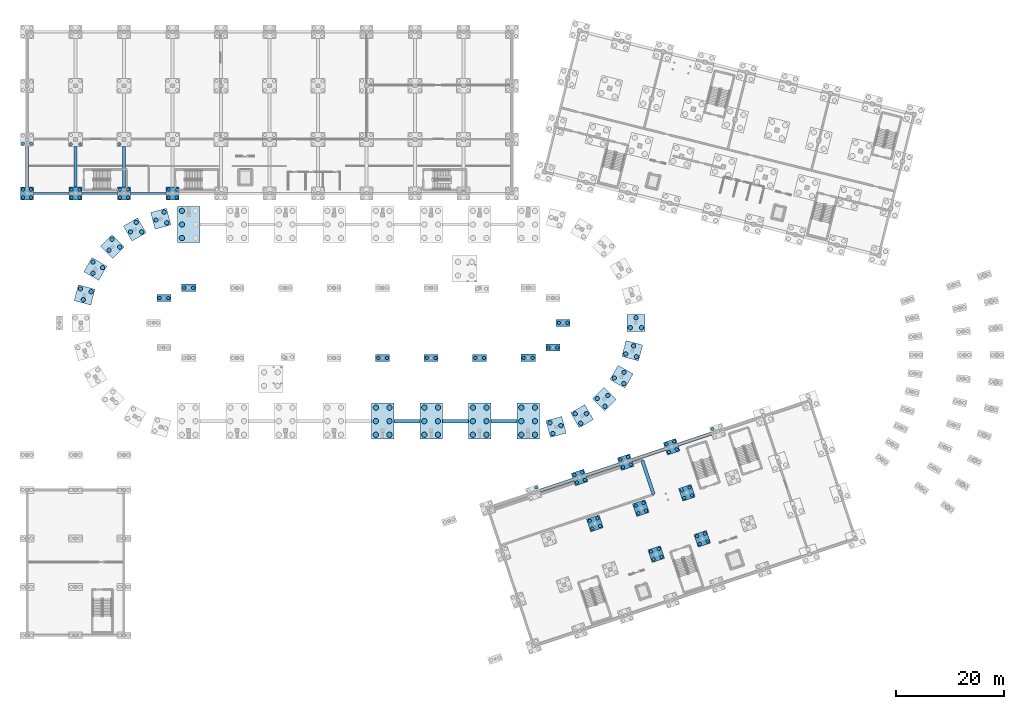
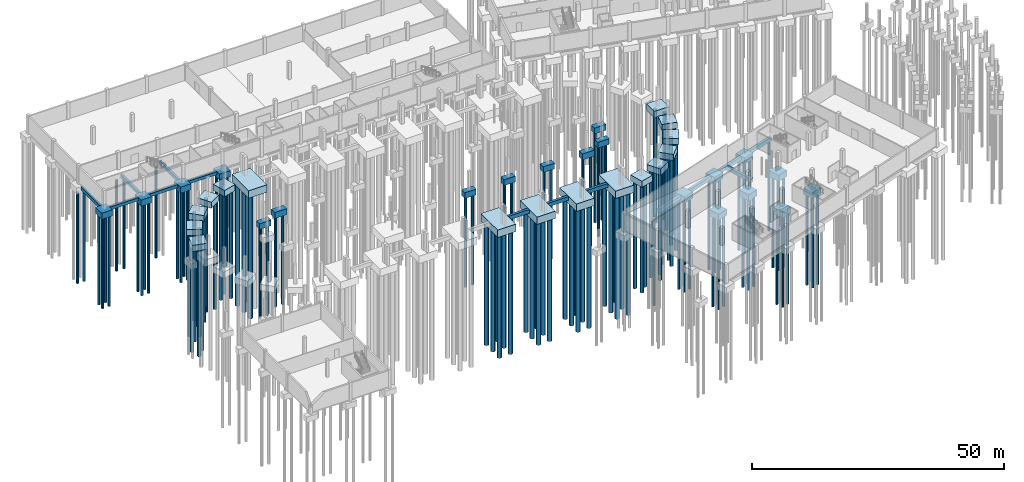
# One storey, part 2 of 36: 131 piles, 50 footings.
"""IFC4 building model written with IfcOpenShell, lengths in metres."""

from ifc_helpers import new_model, si_unit, derived_unit, direction, frame, origin, origin_2d, place, context, subcontext, project, spatial, rectangle, circle, extrude, material, material_profile, profile_set, type_object, element, save


model = new_model("IFC4")

# Units and contexts
model_context = context("Model", 3, precision=1e-05, world=origin(), true_north=direction((0.0, 1.0)))
body_context = subcontext(model_context, "Body", "Model", "MODEL_VIEW")
ifc_project = project(units=[si_unit("LENGTHUNIT", "METRE"), si_unit("AREAUNIT", "SQUARE_METRE"), si_unit("VOLUMEUNIT", "CUBIC_METRE"), si_unit("PLANEANGLEUNIT", "RADIAN"), si_unit("MASSUNIT", "GRAM", prefix="KILO"), si_unit("THERMODYNAMICTEMPERATUREUNIT", "KELVIN"), si_unit("TIMEUNIT", "SECOND"), derived_unit("THERMALTRANSMITTANCEUNIT", [(si_unit("MASSUNIT", "GRAM", prefix="KILO"), 1), (si_unit("THERMODYNAMICTEMPERATUREUNIT", "KELVIN"), -1), (si_unit("TIMEUNIT", "SECOND"), -3)])], contexts=[model_context])

# Site, building, storey
site_placement = place(None, origin())
site = spatial("IfcSite", under=ifc_project, at=site_placement, CompositionType="ELEMENT")
building_placement = place(site_placement, origin())
building = spatial("IfcBuilding", under=site, at=building_placement, Name="Cambertide Market Hall", CompositionType="ELEMENT")
storey_placement = place(building_placement, frame((0.0, 0.0, -4.199951171875)))
storey = spatial("IfcBuildingStorey", under=building, at=storey_placement, Name="B1", CompositionType="ELEMENT", Elevation=-4.199951171875)

# Piles
ifc_material_1 = material(Name="Concrete B35", Category="concrete")
ifc_material_profile_1 = material_profile(ifc_material_1, circle(Radius=0.5, at=origin_2d()), Name="BP D1000")
ifc_profile_set_1 = profile_set([ifc_material_profile_1], Name="Concrete B35")
pile_type_1 = type_object("IfcPileType", Name="Bored Pile BP-1000", PredefinedType="BORED", material=ifc_profile_set_1)
for number, where, z_axis, x_axis, name in (
    (1, (40.739990234375, 87.72998046875, -2.10009765625), (0.0, 0.0, -1.0), (1.0, 0.0, 0.0), "Basement 1 Bored Pile V1-N1-1"),
    (2, (40.739990234375, 90.25, -2.10009765625), (0.0, 0.0, -1.0), (1.0, 0.0, 0.0), "Basement 1 Bored Pile V1-N1-3"),
    (3, (40.739990234375, 92.77001953125, -2.10009765625), (0.0, 0.0, -1.0), (1.0, 0.0, 0.0), "Basement 1 Bored Pile V1-N1-5"),
    (4, (76.739990234375, 51.22998046875, -2.10009765625), (0.0, 0.0, -1.0), (1.0, 0.0, 0.0), "Basement 1 Bored Pile V1-S5-1"),
    (5, (79.260009765625, 51.22998046875, -2.10009765625), (0.0, 0.0, -1.0), (1.0, 0.0, 0.0), "Basement 1 Bored Pile V1-S5-2"),
    (6, (76.739990234375, 53.75, -2.10009765625), (0.0, 0.0, -1.0), (1.0, 0.0, 0.0), "Basement 1 Bored Pile V1-S5-3"),
    (7, (79.260009765625, 53.75, -2.10009765625), (0.0, 0.0, -1.0), (1.0, 0.0, 0.0), "Basement 1 Bored Pile V1-S5-4"),
    (8, (76.739990234375, 56.27001953125, -2.10009765625), (0.0, 0.0, -1.0), (1.0, 0.0, 0.0), "Basement 1 Bored Pile V1-S5-5"),
    (9, (79.260009765625, 56.27001953125, -2.10009765625), (0.0, 0.0, -1.0), (1.0, 0.0, 0.0), "Basement 1 Bored Pile V1-S5-6"),
    (10, (85.739990234375, 51.22998046875, -2.10009765625), (0.0, 0.0, -1.0), (1.0, 0.0, 0.0), "Basement 1 Bored Pile V1-S6-1"),
    (11, (88.260009765625, 51.22998046875, -2.10009765625), (0.0, 0.0, -1.0), (1.0, 0.0, 0.0), "Basement 1 Bored Pile V1-S6-2"),
    (12, (85.739990234375, 53.75, -2.10009765625), (0.0, 0.0, -1.0), (1.0, 0.0, 0.0), "Basement 1 Bored Pile V1-S6-3"),
    (13, (88.260009765625, 53.75, -2.10009765625), (0.0, 0.0, -1.0), (1.0, 0.0, 0.0), "Basement 1 Bored Pile V1-S6-4"),
    (14, (85.739990234375, 56.27001953125, -2.10009765625), (0.0, 0.0, -1.0), (1.0, 0.0, 0.0), "Basement 1 Bored Pile V1-S6-5"),
    (15, (88.260009765625, 56.27001953125, -2.10009765625), (0.0, 0.0, -1.0), (1.0, 0.0, 0.0), "Basement 1 Bored Pile V1-S6-6"),
    (16, (94.739990234375, 51.22998046875, -2.10009765625), (0.0, 0.0, -1.0), (1.0, 0.0, 0.0), "Basement 1 Bored Pile V1-S7-1"),
    (17, (97.260009765625, 51.22998046875, -2.10009765625), (0.0, 0.0, -1.0), (1.0, 0.0, 0.0), "Basement 1 Bored Pile V1-S7-2"),
    (18, (94.739990234375, 53.75, -2.10009765625), (0.0, 0.0, -1.0), (1.0, 0.0, 0.0), "Basement 1 Bored Pile V1-S7-3"),
    (19, (97.260009765625, 53.75, -2.10009765625), (0.0, 0.0, -1.0), (1.0, 0.0, 0.0), "Basement 1 Bored Pile V1-S7-4"),
    (20, (94.739990234375, 56.27001953125, -2.10009765625), (0.0, 0.0, -1.0), (1.0, 0.0, 0.0), "Basement 1 Bored Pile V1-S7-5"),
    (21, (97.260009765625, 56.27001953125, -2.10009765625), (0.0, 0.0, -1.0), (1.0, 0.0, 0.0), "Basement 1 Bored Pile V1-S7-6"),
    (22, (103.739990234375, 51.22998046875, -2.10009765625), (0.0, 0.0, -1.0), (1.0, 0.0, 0.0), "Basement 1 Bored Pile V1-S8-1"),
    (23, (106.260009765625, 51.22998046875, -2.10009765625), (0.0, 0.0, -1.0), (1.0, 0.0, 0.0), "Basement 1 Bored Pile V1-S8-2"),
    (24, (103.739990234375, 53.75, -2.10009765625), (0.0, 0.0, -1.0), (1.0, 0.0, 0.0), "Basement 1 Bored Pile V1-S8-3"),
    (25, (106.260009765625, 53.75, -2.10009765625), (0.0, 0.0, -1.0), (1.0, 0.0, 0.0), "Basement 1 Bored Pile V1-S8-4"),
    (26, (103.739990234375, 56.27001953125, -2.10009765625), (0.0, 0.0, -1.0), (1.0, 0.0, 0.0), "Basement 1 Bored Pile V1-S8-5"),
    (27, (106.260009765625, 56.27001953125, -2.10009765625), (0.0, 0.0, -1.0), (1.0, 0.0, 0.0), "Basement 1 Bored Pile V1-S8-6"),
):
    element("IfcPile", number, at=place(storey_placement, frame(where, z_axis=z_axis, x_axis=x_axis)), inside=storey, type_object=pile_type_1, Name=name, PredefinedType="BORED", context=body_context, shape_type="SweptSolid", body=[
        extrude(circle(Radius=0.5, at=origin_2d()), origin(), (0.0, 0.0, 1.0), 29.800048828125),
    ])
ifc_material_2 = material(Name="Concrete B35", Category="concrete")
ifc_material_profile_2 = material_profile(ifc_material_2, circle(Radius=0.300048828125, at=origin_2d()), Name="BP D600")
ifc_profile_set_2 = profile_set([ifc_material_profile_2], Name="Concrete B35")
pile_type_2 = type_object("IfcPileType", Name="Bored Pile BP-600", PredefinedType="BORED", material=ifc_profile_set_2)
for number, where, z_axis, x_axis, name in (
    (28, (41.14990234375, 78.5, -1.75), (0.0, 0.0, -1.0), (1.0, 0.0, 0.0), "Basement 1 Bored Pile V1-MN1-1"),
    (29, (42.85009765625, 78.5, -1.75), (0.0, 0.0, -1.0), (1.0, 0.0, 0.0), "Basement 1 Bored Pile V1-MN1-2"),
    (30, (77.199951171875, 65.5, -1.699951171875), (0.0, 0.0, -1.0), (1.0, 0.0, 0.0), "Basement 1 Bored Pile V1-MS5-1"),
    (31, (78.800048828125, 65.5, -1.699951171875), (0.0, 0.0, -1.0), (1.0, 0.0, 0.0), "Basement 1 Bored Pile V1-MS5-2"),
    (32, (86.199951171875, 65.5, -1.699951171875), (0.0, 0.0, -1.0), (1.0, 0.0, 0.0), "Basement 1 Bored Pile V1-MS6-1"),
    (33, (87.800048828125, 65.5, -1.699951171875), (0.0, 0.0, -1.0), (1.0, 0.0, 0.0), "Basement 1 Bored Pile V1-MS6-2"),
    (34, (95.199951171875, 65.5, -1.699951171875), (0.0, 0.0, -1.0), (1.0, 0.0, 0.0), "Basement 1 Bored Pile V1-MS7-1"),
    (35, (96.800048828125, 65.5, -1.699951171875), (0.0, 0.0, -1.0), (1.0, 0.0, 0.0), "Basement 1 Bored Pile V1-MS7-2"),
    (36, (104.14990234375, 65.5, -1.75), (0.0, 0.0, -1.0), (1.0, 0.0, 0.0), "Basement 1 Bored Pile V1-MS8-1"),
    (37, (105.85009765625, 65.5, -1.75), (0.0, 0.0, -1.0), (1.0, 0.0, 0.0), "Basement 1 Bored Pile V1-MS8-2"),
    (38, (36.603759765625, 76.59619140625, -1.699951171875), (0.0, 0.0, -1.0), (1.0, 0.0, 0.0), "Basement 1 Bored Pile V1-MW06-1"),
    (39, (38.203857421875, 76.59619140625, -1.699951171875), (0.0, 0.0, -1.0), (1.0, 0.0, 0.0), "Basement 1 Bored Pile V1-MW06-2"),
    (40, (108.796142578125, 67.40380859375, -1.699951171875), (0.0, 0.0, -1.0), (1.0, 0.0, 0.0), "Basement 1 Bored Pile V1-ME06-1"),
    (41, (110.396240234375, 67.40380859375, -1.699951171875), (0.0, 0.0, -1.0), (1.0, 0.0, 0.0), "Basement 1 Bored Pile V1-ME06-2"),
    (42, (110.699951171875, 72.0, -1.699951171875), (0.0, 0.0, -1.0), (1.0, 0.0, 0.0), "Basement 1 Bored Pile V1-ME12-1"),
    (43, (112.300048828125, 72.0, -1.699951171875), (0.0, 0.0, -1.0), (1.0, 0.0, 0.0), "Basement 1 Bored Pile V1-ME12-2"),
    (44, (11.2451171875, 95.2451171875, -1.800048828125), (0.0, 0.0, -1.0), (1.0, 0.0, 0.0), "Basement 1 Bored Pile V2-1-1-1"),
    (45, (12.7548828125, 95.2451171875, -1.800048828125), (0.0, 0.0, -1.0), (1.0, 0.0, 0.0), "Basement 1 Bored Pile V2-1-1-2"),
    (46, (11.2451171875, 96.7548828125, -1.800048828125), (0.0, 0.0, -1.0), (1.0, 0.0, 0.0), "Basement 1 Bored Pile V2-1-1-3"),
    (47, (12.7548828125, 96.7548828125, -1.800048828125), (0.0, 0.0, -1.0), (1.0, 0.0, 0.0), "Basement 1 Bored Pile V2-1-1-4"),
    (48, (11.2451171875, 105.2451171875, -1.800048828125), (0.0, 0.0, -1.0), (1.0, 0.0, 0.0), "Basement 1 Bored Pile V2-1-2-1"),
    (49, (12.7548828125, 105.2451171875, -1.800048828125), (0.0, 0.0, -1.0), (1.0, 0.0, 0.0), "Basement 1 Bored Pile V2-1-2-2"),
    (50, (20.2451171875, 95.2451171875, -1.800048828125), (0.0, 0.0, -1.0), (1.0, 0.0, 0.0), "Basement 1 Bored Pile V2-2-1-1"),
    (51, (21.7548828125, 95.2451171875, -1.800048828125), (0.0, 0.0, -1.0), (1.0, 0.0, 0.0), "Basement 1 Bored Pile V2-2-1-2"),
    (52, (20.2451171875, 96.7548828125, -1.800048828125), (0.0, 0.0, -1.0), (1.0, 0.0, 0.0), "Basement 1 Bored Pile V2-2-1-3"),
    (53, (21.7548828125, 96.7548828125, -1.800048828125), (0.0, 0.0, -1.0), (1.0, 0.0, 0.0), "Basement 1 Bored Pile V2-2-1-4"),
    (54, (20.14990234375, 105.14990234375, -1.85009765625), (0.0, 0.0, -1.0), (1.0, 0.0, 0.0), "Basement 1 Bored Pile V2-2-2-1"),
    (55, (21.85009765625, 105.14990234375, -1.85009765625), (0.0, 0.0, -1.0), (1.0, 0.0, 0.0), "Basement 1 Bored Pile V2-2-2-2"),
    (56, (29.2451171875, 95.2451171875, -1.800048828125), (0.0, 0.0, -1.0), (1.0, 0.0, 0.0), "Basement 1 Bored Pile V2-3-1-1"),
    (57, (30.7548828125, 95.2451171875, -1.800048828125), (0.0, 0.0, -1.0), (1.0, 0.0, 0.0), "Basement 1 Bored Pile V2-3-1-2"),
    (58, (29.2451171875, 96.7548828125, -1.800048828125), (0.0, 0.0, -1.0), (1.0, 0.0, 0.0), "Basement 1 Bored Pile V2-3-1-3"),
    (59, (30.7548828125, 96.7548828125, -1.800048828125), (0.0, 0.0, -1.0), (1.0, 0.0, 0.0), "Basement 1 Bored Pile V2-3-1-4"),
    (60, (29.14990234375, 105.14990234375, -1.85009765625), (0.0, 0.0, -1.0), (1.0, 0.0, 0.0), "Basement 1 Bored Pile V2-3-2-1"),
    (61, (38.2451171875, 95.2451171875, -1.800048828125), (0.0, 0.0, -1.0), (1.0, 0.0, 0.0), "Basement 1 Bored Pile V2-4-1-1"),
    (62, (39.7548828125, 95.2451171875, -1.800048828125), (0.0, 0.0, -1.0), (1.0, 0.0, 0.0), "Basement 1 Bored Pile V2-4-1-2"),
    (63, (38.2451171875, 96.7548828125, -1.800048828125), (0.0, 0.0, -1.0), (1.0, 0.0, 0.0), "Basement 1 Bored Pile V2-4-1-3"),
    (64, (39.7548828125, 96.7548828125, -1.800048828125), (0.0, 0.0, -1.0), (1.0, 0.0, 0.0), "Basement 1 Bored Pile V2-4-1-4"),
    (65, (106.4775390625, 41.41552734375, -1.800048828125), (0.0, 0.0, -1.0), (1.0, 0.0, 0.0), "Basement 1 Bored Pile V3-2-4-4"),
    (66, (116.90673828125, 33.8134765625, -1.800048828125), (0.0, 0.0, -1.0), (1.0, 0.0, 0.0), "Basement 1 Bored Pile V3-3-3-1"),
    (67, (118.339111328125, 34.291015625, -1.800048828125), (0.0, 0.0, -1.0), (1.0, 0.0, 0.0), "Basement 1 Bored Pile V3-3-3-2"),
    (68, (116.42919921875, 35.245849609375, -1.800048828125), (0.0, 0.0, -1.0), (1.0, 0.0, 0.0), "Basement 1 Bored Pile V3-3-3-3"),
    (69, (117.86181640625, 35.723388671875, -1.800048828125), (0.0, 0.0, -1.0), (1.0, 0.0, 0.0), "Basement 1 Bored Pile V3-3-3-4"),
    (70, (114.060546875, 42.3515625, -1.800048828125), (0.0, 0.0, -1.0), (1.0, 0.0, 0.0), "Basement 1 Bored Pile V3-3-4-1"),
    (71, (115.4931640625, 42.8291015625, -1.800048828125), (0.0, 0.0, -1.0), (1.0, 0.0, 0.0), "Basement 1 Bored Pile V3-3-4-2"),
    (72, (113.583251953125, 43.783935546875, -1.800048828125), (0.0, 0.0, -1.0), (1.0, 0.0, 0.0), "Basement 1 Bored Pile V3-3-4-3"),
    (73, (115.015625, 44.261474609375, -1.800048828125), (0.0, 0.0, -1.0), (1.0, 0.0, 0.0), "Basement 1 Bored Pile V3-3-4-4"),
    (74, (128.291015625, 28.121337890625, -1.800048828125), (0.0, 0.0, -1.0), (1.0, 0.0, 0.0), "Basement 1 Bored Pile V3-4-2-1"),
    (75, (129.723388671875, 28.598876953125, -1.800048828125), (0.0, 0.0, -1.0), (1.0, 0.0, 0.0), "Basement 1 Bored Pile V3-4-2-2"),
    (76, (127.8134765625, 29.5537109375, -1.800048828125), (0.0, 0.0, -1.0), (1.0, 0.0, 0.0), "Basement 1 Bored Pile V3-4-2-3"),
    (77, (129.245849609375, 30.03125, -1.800048828125), (0.0, 0.0, -1.0), (1.0, 0.0, 0.0), "Basement 1 Bored Pile V3-4-2-4"),
    (78, (125.44482421875, 36.659423828125, -1.800048828125), (0.0, 0.0, -1.0), (1.0, 0.0, 0.0), "Basement 1 Bored Pile V3-4-3-1"),
    (79, (126.87744140625, 37.136962890625, -1.800048828125), (0.0, 0.0, -1.0), (1.0, 0.0, 0.0), "Basement 1 Bored Pile V3-4-3-2"),
    (80, (124.96728515625, 38.092041015625, -1.800048828125), (0.0, 0.0, -1.0), (1.0, 0.0, 0.0), "Basement 1 Bored Pile V3-4-3-3"),
    (81, (126.39990234375, 38.5693359375, -1.800048828125), (0.0, 0.0, -1.0), (1.0, 0.0, 0.0), "Basement 1 Bored Pile V3-4-3-4"),
    (82, (122.598876953125, 45.197509765625, -1.800048828125), (0.0, 0.0, -1.0), (1.0, 0.0, 0.0), "Basement 1 Bored Pile V3-4-4-1"),
    (83, (124.03125, 45.675048828125, -1.800048828125), (0.0, 0.0, -1.0), (1.0, 0.0, 0.0), "Basement 1 Bored Pile V3-4-4-2"),
    (84, (122.121337890625, 46.630126953125, -1.800048828125), (0.0, 0.0, -1.0), (1.0, 0.0, 0.0), "Basement 1 Bored Pile V3-4-4-3"),
    (85, (123.5537109375, 47.107666015625, -1.800048828125), (0.0, 0.0, -1.0), (1.0, 0.0, 0.0), "Basement 1 Bored Pile V3-4-4-4"),
    (86, (136.8291015625, 30.96728515625, -1.800048828125), (0.0, 0.0, -1.0), (1.0, 0.0, 0.0), "Basement 1 Bored Pile V3-5-2-1"),
    (87, (138.261474609375, 31.44482421875, -1.800048828125), (0.0, 0.0, -1.0), (1.0, 0.0, 0.0), "Basement 1 Bored Pile V3-5-2-2"),
    (88, (136.3515625, 32.39990234375, -1.800048828125), (0.0, 0.0, -1.0), (1.0, 0.0, 0.0), "Basement 1 Bored Pile V3-5-2-3"),
    (89, (137.783935546875, 32.87744140625, -1.800048828125), (0.0, 0.0, -1.0), (1.0, 0.0, 0.0), "Basement 1 Bored Pile V3-5-2-4"),
    (90, (133.98291015625, 39.50537109375, -1.800048828125), (0.0, 0.0, -1.0), (1.0, 0.0, 0.0), "Basement 1 Bored Pile V3-5-3-1"),
    (91, (135.41552734375, 39.98291015625, -1.800048828125), (0.0, 0.0, -1.0), (1.0, 0.0, 0.0), "Basement 1 Bored Pile V3-5-3-2"),
    (92, (133.50537109375, 40.93798828125, -1.800048828125), (0.0, 0.0, -1.0), (1.0, 0.0, 0.0), "Basement 1 Bored Pile V3-5-3-3"),
    (93, (134.93798828125, 41.41552734375, -1.800048828125), (0.0, 0.0, -1.0), (1.0, 0.0, 0.0), "Basement 1 Bored Pile V3-5-3-4"),
    (94, (131.136962890625, 48.043701171875, -1.800048828125), (0.0, 0.0, -1.0), (1.0, 0.0, 0.0), "Basement 1 Bored Pile V3-5-4-1"),
    (95, (132.5693359375, 48.521240234375, -1.800048828125), (0.0, 0.0, -1.0), (1.0, 0.0, 0.0), "Basement 1 Bored Pile V3-5-4-2"),
    (96, (130.659423828125, 49.47607421875, -1.800048828125), (0.0, 0.0, -1.0), (1.0, 0.0, 0.0), "Basement 1 Bored Pile V3-5-4-3"),
    (97, (132.092041015625, 49.95361328125, -1.800048828125), (0.0, 0.0, -1.0), (1.0, 0.0, 0.0), "Basement 1 Bored Pile V3-5-4-4"),
    (98, (139.197509765625, 52.322265625, -1.800048828125), (0.0, 0.0, -1.0), (1.0, 0.0, 0.0), "Basement 1 Bored Pile V3-6-4-3"),
):
    element("IfcPile", number, at=place(storey_placement, frame(where, z_axis=z_axis, x_axis=x_axis)), inside=storey, type_object=pile_type_2, Name=name, PredefinedType="BORED", context=body_context, shape_type="SweptSolid", body=[
        extrude(circle(Radius=0.300048828125, at=origin_2d()), origin(), (0.0, 0.0, 1.0), 22.0),
    ])
ifc_material_3 = material(Name="Concrete B35", Category="concrete")
ifc_material_profile_3 = material_profile(ifc_material_3, circle(Radius=0.39990234375, at=origin_2d()), Name="BP D800")
ifc_profile_set_3 = profile_set([ifc_material_profile_3], Name="Concrete B35")
pile_type_3 = type_object("IfcPileType", Name="Bored Pile BP-800", PredefinedType="BORED", material=ifc_profile_set_3)
for number, where, z_axis, x_axis, name in (
    (99, (37.937744140625, 90.56103515625, -1.800048828125), (0.0, 0.0, -1.0), (1.0, 0.0, 0.0), "Basement 1 Bored Pile V1-AW02-1"),
    (100, (37.40966796875, 92.531494140625, -1.800048828125), (0.0, 0.0, -1.0), (1.0, 0.0, 0.0), "Basement 1 Bored Pile V1-AW02-2"),
    (101, (35.93505859375, 91.080322265625, -1.800048828125), (0.0, 0.0, -1.0), (1.0, 0.0, 0.0), "Basement 1 Bored Pile V1-AW02-3"),
    (102, (33.272216796875, 88.877197265625, -1.800048828125), (0.0, 0.0, -1.0), (1.0, 0.0, 0.0), "Basement 1 Bored Pile V1-AW04-1"),
    (103, (32.252197265625, 90.643798828125, -1.800048828125), (0.0, 0.0, -1.0), (1.0, 0.0, 0.0), "Basement 1 Bored Pile V1-AW04-2"),
    (104, (31.203369140625, 88.860595703125, -1.800048828125), (0.0, 0.0, -1.0), (1.0, 0.0, 0.0), "Basement 1 Bored Pile V1-AW04-3"),
    (105, (29.201416015625, 86.043212890625, -1.800048828125), (0.0, 0.0, -1.0), (1.0, 0.0, 0.0), "Basement 1 Bored Pile V1-AW06-1"),
    (106, (27.7587890625, 87.485595703125, -1.800048828125), (0.0, 0.0, -1.0), (1.0, 0.0, 0.0), "Basement 1 Bored Pile V1-AW06-2"),
    (107, (27.207275390625, 85.49169921875, -1.800048828125), (0.0, 0.0, -1.0), (1.0, 0.0, 0.0), "Basement 1 Bored Pile V1-AW06-3"),
    (108, (26.0029296875, 82.252197265625, -1.800048828125), (0.0, 0.0, -1.0), (1.0, 0.0, 0.0), "Basement 1 Bored Pile V1-AW08-1"),
    (109, (24.236083984375, 83.272216796875, -1.800048828125), (0.0, 0.0, -1.0), (1.0, 0.0, 0.0), "Basement 1 Bored Pile V1-AW08-2"),
    (110, (24.219482421875, 81.203369140625, -1.800048828125), (0.0, 0.0, -1.0), (1.0, 0.0, 0.0), "Basement 1 Bored Pile V1-AW08-3"),
    (111, (23.89453125, 77.762451171875, -1.800048828125), (0.0, 0.0, -1.0), (1.0, 0.0, 0.0), "Basement 1 Bored Pile V1-AW10-1"),
    (112, (21.924072265625, 78.290283203125, -1.800048828125), (0.0, 0.0, -1.0), (1.0, 0.0, 0.0), "Basement 1 Bored Pile V1-AW10-2"),
    (113, (22.443359375, 76.287841796875, -1.800048828125), (0.0, 0.0, -1.0), (1.0, 0.0, 0.0), "Basement 1 Bored Pile V1-AW10-3"),
    (114, (109.062255859375, 53.43896484375, -1.800048828125), (0.0, 0.0, -1.0), (1.0, 0.0, 0.0), "Basement 1 Bored Pile V1-AE02-1"),
    (115, (109.59033203125, 51.468505859375, -1.800048828125), (0.0, 0.0, -1.0), (1.0, 0.0, 0.0), "Basement 1 Bored Pile V1-AE02-2"),
    (116, (111.06494140625, 52.919677734375, -1.800048828125), (0.0, 0.0, -1.0), (1.0, 0.0, 0.0), "Basement 1 Bored Pile V1-AE02-3"),
    (117, (113.727783203125, 55.122802734375, -1.800048828125), (0.0, 0.0, -1.0), (1.0, 0.0, 0.0), "Basement 1 Bored Pile V1-AE04-1"),
    (118, (114.747802734375, 53.356201171875, -1.800048828125), (0.0, 0.0, -1.0), (1.0, 0.0, 0.0), "Basement 1 Bored Pile V1-AE04-2"),
    (119, (115.796630859375, 55.139404296875, -1.800048828125), (0.0, 0.0, -1.0), (1.0, 0.0, 0.0), "Basement 1 Bored Pile V1-AE04-3"),
    (120, (117.798583984375, 57.956787109375, -1.800048828125), (0.0, 0.0, -1.0), (1.0, 0.0, 0.0), "Basement 1 Bored Pile V1-AE06-1"),
    (121, (119.2412109375, 56.514404296875, -1.800048828125), (0.0, 0.0, -1.0), (1.0, 0.0, 0.0), "Basement 1 Bored Pile V1-AE06-2"),
    (122, (119.792724609375, 58.50830078125, -1.800048828125), (0.0, 0.0, -1.0), (1.0, 0.0, 0.0), "Basement 1 Bored Pile V1-AE06-3"),
    (123, (120.9970703125, 61.747802734375, -1.800048828125), (0.0, 0.0, -1.0), (1.0, 0.0, 0.0), "Basement 1 Bored Pile V1-AE08-1"),
    (124, (122.763916015625, 60.727783203125, -1.800048828125), (0.0, 0.0, -1.0), (1.0, 0.0, 0.0), "Basement 1 Bored Pile V1-AE08-2"),
    (125, (122.780517578125, 62.796630859375, -1.800048828125), (0.0, 0.0, -1.0), (1.0, 0.0, 0.0), "Basement 1 Bored Pile V1-AE08-3"),
    (126, (123.10546875, 66.237548828125, -1.800048828125), (0.0, 0.0, -1.0), (1.0, 0.0, 0.0), "Basement 1 Bored Pile V1-AE10-1"),
    (127, (125.075927734375, 65.709716796875, -1.800048828125), (0.0, 0.0, -1.0), (1.0, 0.0, 0.0), "Basement 1 Bored Pile V1-AE10-2"),
    (128, (124.556640625, 67.712158203125, -1.800048828125), (0.0, 0.0, -1.0), (1.0, 0.0, 0.0), "Basement 1 Bored Pile V1-AE10-3"),
    (129, (123.949951171875, 71.10009765625, -1.85009765625), (0.0, 0.0, -1.0), (1.0, 0.0, 0.0), "Basement 1 Bored Pile V1-AE12-1"),
    (130, (126.050048828125, 71.10009765625, -1.85009765625), (0.0, 0.0, -1.0), (1.0, 0.0, 0.0), "Basement 1 Bored Pile V1-AE12-2"),
    (131, (125.0, 72.949951171875, -1.85009765625), (0.0, 0.0, -1.0), (1.0, 0.0, 0.0), "Basement 1 Bored Pile V1-AE12-3"),
):
    element("IfcPile", number, at=place(storey_placement, frame(where, z_axis=z_axis, x_axis=x_axis)), inside=storey, type_object=pile_type_3, Name=name, PredefinedType="BORED", context=body_context, shape_type="SweptSolid", body=[
        extrude(circle(Radius=0.39990234375, at=origin_2d()), origin(), (0.0, 0.0, 1.0), 26.0),
    ])

# Footings
ifc_material_4 = material(Name="Concrete B35", Category="concrete")
footing_type_1 = type_object("IfcFootingType", Name="Concrete Pile Cap PC-02", PredefinedType="PILE_CAP", material=ifc_material_4)
for number, where, z_axis, x_axis, name in (
    (132, (78.0, 65.5, -1.800048828125), (0.0, 0.0, 1.0), (1.0, 0.0, 0.0), "Basement 1 Pile Cap V1-MS5"),
    (133, (87.0, 65.5, -1.800048828125), (0.0, 0.0, 1.0), (1.0, 0.0, 0.0), "Basement 1 Pile Cap V1-MS6"),
    (134, (96.0, 65.5, -1.800048828125), (0.0, 0.0, 1.0), (1.0, 0.0, 0.0), "Basement 1 Pile Cap V1-MS7"),
    (135, (37.40380859375, 76.59619140625, -1.800048828125), (0.0, 0.0, 1.0), (1.0, 0.0, 0.0), "Basement 1 Pile Cap V1-MW06"),
    (136, (109.59619140625, 67.40380859375, -1.800048828125), (0.0, 0.0, 1.0), (1.0, 0.0, 0.0), "Basement 1 Pile Cap V1-ME06"),
    (137, (111.5, 72.0, -1.800048828125), (0.0, 0.0, 1.0), (1.0, 0.0, 0.0), "Basement 1 Pile Cap V1-ME12"),
):
    element("IfcFooting", number, at=place(storey_placement, frame(where, z_axis=z_axis, x_axis=x_axis)), inside=storey, type_object=footing_type_1, Name=name, PredefinedType="PILE_CAP", context=body_context, shape_type="SweptSolid", body=[
        extrude(rectangle(XDim=2.60009765625, YDim=1.300048828125, at=origin_2d()), origin(), (0.0, 0.0, 1.0), 1.39990234375),
    ])
ifc_material_5 = material(Name="Concrete B35", Category="concrete")
footing_type_2 = type_object("IfcFootingType", Name="Concrete Pile Cap PC-02B", PredefinedType="PILE_CAP", material=ifc_material_5)
for number, where, z_axis, x_axis, name in (
    (138, (42.0, 78.5, -1.85009765625), (0.0, 0.0, 1.0), (1.0, 0.0, 0.0), "Basement 1 Pile Cap V1-MN1"),
    (139, (105.0, 65.5, -1.85009765625), (0.0, 0.0, 1.0), (1.0, 0.0, 0.0), "Basement 1 Pile Cap V1-MS8"),
):
    element("IfcFooting", number, at=place(storey_placement, frame(where, z_axis=z_axis, x_axis=x_axis)), inside=storey, type_object=footing_type_2, Name=name, PredefinedType="PILE_CAP", context=body_context, shape_type="SweptSolid", body=[
        extrude(rectangle(XDim=2.75, YDim=1.39990234375, at=origin_2d()), origin(), (0.0, 0.0, 1.0), 1.449951171875),
    ])
ifc_material_6 = material(Name="Concrete B35", Category="concrete")
footing_type_3 = type_object("IfcFootingType", Name="Concrete Pile Cap PC-03", PredefinedType="PILE_CAP", material=ifc_material_6)
for number, where, z_axis, x_axis, name in (
    (140, (36.82373046875, 91.318603515625, -1.900146484375), (0.0, 0.0, 1.0), (-0.258819045103, 0.965925826289, 0.0), "Basement 1 Pile Cap V1-AW02"),
    (141, (32.0, 89.320556640625, -1.900146484375), (0.0, 0.0, 1.0), (-0.5, 0.866025403784, 0.0), "Basement 1 Pile Cap V1-AW04"),
    (142, (27.85791015625, 86.14208984375, -1.900146484375), (0.0, 0.0, 1.0), (-0.707106781187, 0.707106781187, 0.0), "Basement 1 Pile Cap V1-AW06"),
    (143, (24.679443359375, 82.0, -1.900146484375), (0.0, 0.0, 1.0), (-0.866025403784, 0.5, 0.0), "Basement 1 Pile Cap V1-AW08"),
    (144, (22.681396484375, 77.17626953125, -1.900146484375), (0.0, 0.0, 1.0), (-0.965925826289, 0.258819045103, 0.0), "Basement 1 Pile Cap V1-AW10"),
    (145, (110.17626953125, 52.681396484375, -1.900146484375), (0.0, 0.0, 1.0), (0.258819045103, -0.965925826289, 0.0), "Basement 1 Pile Cap V1-AE02"),
    (146, (115.0, 54.679443359375, -1.900146484375), (0.0, 0.0, 1.0), (0.5, -0.866025403784, 0.0), "Basement 1 Pile Cap V1-AE04"),
    (147, (119.14208984375, 57.85791015625, -1.900146484375), (0.0, 0.0, 1.0), (0.707106781187, -0.707106781187, 0.0), "Basement 1 Pile Cap V1-AE06"),
    (148, (122.320556640625, 62.0, -1.900146484375), (0.0, 0.0, 1.0), (0.866025403784, -0.5, 0.0), "Basement 1 Pile Cap V1-AE08"),
    (149, (124.318603515625, 66.82373046875, -1.900146484375), (0.0, 0.0, 1.0), (0.965925826289, -0.258819045103, 0.0), "Basement 1 Pile Cap V1-AE10"),
):
    element("IfcFooting", number, at=place(storey_placement, frame(where, z_axis=z_axis, x_axis=x_axis)), inside=storey, type_object=footing_type_3, Name=name, PredefinedType="PILE_CAP", context=body_context, shape_type="SweptSolid", body=[
        extrude(rectangle(XDim=3.199951171875, YDim=3.0400390625, at=origin_2d()), origin(), (0.0, 0.0, 1.0), 1.5),
    ])
ifc_material_7 = material(Name="Concrete B35", Category="concrete")
footing_type_4 = type_object("IfcFootingType", Name="Concrete Pile Cap PC-03B", PredefinedType="PILE_CAP", material=ifc_material_7)
footing_1_placement = place(storey_placement, frame((125.0, 72.0, -1.9501953125), z_axis=(0.0, 0.0, 1.0), x_axis=(1.0, 0.0, 0.0)))
element("IfcFooting", 150, at=footing_1_placement, inside=storey, type_object=footing_type_4, Name="Basement 1 Pile Cap V1-AE12", PredefinedType="PILE_CAP", context=body_context, shape_type="SweptSolid", body=[
    extrude(rectangle(XDim=3.340087890625, YDim=3.139892578125, at=origin_2d()), origin(), (0.0, 0.0, 1.0), 1.550048828125),
])
ifc_material_8 = material(Name="Concrete B35", Category="concrete")
footing_type_5 = type_object("IfcFootingType", Name="Concrete Pile Cap PC-04A", PredefinedType="PILE_CAP", material=ifc_material_8)
for number, where, z_axis, x_axis, name in (
    (151, (12.0, 96.0, -1.900146484375), (0.0, 0.0, 1.0), (1.0, 0.0, 0.0), "Basement 1 Pile Cap V2-1-1"),
    (152, (21.0, 96.0, -1.900146484375), (0.0, 0.0, 1.0), (1.0, 0.0, 0.0), "Basement 1 Pile Cap V2-2-1"),
    (153, (30.0, 96.0, -1.900146484375), (0.0, 0.0, 1.0), (1.0, 0.0, 0.0), "Basement 1 Pile Cap V2-3-1"),
    (154, (39.0, 96.0, -1.900146484375), (0.0, 0.0, 1.0), (1.0, 0.0, 0.0), "Basement 1 Pile Cap V2-4-1"),
    (155, (117.38427734375, 34.768310546875, -1.900146484375), (0.0, 0.0, 1.0), (0.94868329805, 0.316227766018, 0.0), "Basement 1 Pile Cap V3-3-3"),
    (156, (114.5380859375, 43.306640625, -1.900146484375), (0.0, 0.0, 1.0), (0.94868329805, 0.316227766018, 0.0), "Basement 1 Pile Cap V3-3-4"),
    (157, (128.768310546875, 29.076416015625, -1.900146484375), (0.0, 0.0, 1.0), (0.94868329805, 0.316227766018, 0.0), "Basement 1 Pile Cap V3-4-2"),
    (158, (125.92236328125, 37.614501953125, -1.900146484375), (0.0, 0.0, 1.0), (0.94868329805, 0.316227766018, 0.0), "Basement 1 Pile Cap V3-4-3"),
    (159, (123.076416015625, 46.152587890625, -1.900146484375), (0.0, 0.0, 1.0), (0.94868329805, 0.316227766018, 0.0), "Basement 1 Pile Cap V3-4-4"),
    (160, (137.306640625, 31.92236328125, -1.900146484375), (0.0, 0.0, 1.0), (0.94868329805, 0.316227766018, 0.0), "Basement 1 Pile Cap V3-5-2"),
    (161, (134.46044921875, 40.46044921875, -1.900146484375), (0.0, 0.0, 1.0), (0.94868329805, 0.316227766018, 0.0), "Basement 1 Pile Cap V3-5-3"),
    (162, (131.614501953125, 48.99853515625, -1.900146484375), (0.0, 0.0, 1.0), (0.94868329805, 0.316227766018, 0.0), "Basement 1 Pile Cap V3-5-4"),
):
    element("IfcFooting", number, at=place(storey_placement, frame(where, z_axis=z_axis, x_axis=x_axis)), inside=storey, type_object=footing_type_5, Name=name, PredefinedType="PILE_CAP", context=body_context, shape_type="SweptSolid", body=[
        extrude(rectangle(XDim=2.449951171875, YDim=2.449951171875, at=origin_2d()), origin(), (0.0, 0.0, 1.0), 1.5),
    ])
ifc_material_9 = material(Name="Concrete B35", Category="concrete")
footing_type_6 = type_object("IfcFootingType", Name="Concrete Pile Cap PC-06", PredefinedType="PILE_CAP", material=ifc_material_9)
for number, where, z_axis, x_axis, name in (
    (163, (42.0, 90.25, -2.2001953125), (0.0, 0.0, 1.0), (1.0, 0.0, 0.0), "Basement 1 Pile Cap V1-N1"),
    (164, (78.0, 53.75, -2.2001953125), (0.0, 0.0, 1.0), (1.0, 0.0, 0.0), "Basement 1 Pile Cap V1-S5"),
    (165, (87.0, 53.75, -2.2001953125), (0.0, 0.0, 1.0), (1.0, 0.0, 0.0), "Basement 1 Pile Cap V1-S6"),
    (166, (96.0, 53.75, -2.2001953125), (0.0, 0.0, 1.0), (1.0, 0.0, 0.0), "Basement 1 Pile Cap V1-S7"),
    (167, (105.0, 53.75, -2.2001953125), (0.0, 0.0, 1.0), (1.0, 0.0, 0.0), "Basement 1 Pile Cap V1-S8"),
):
    element("IfcFooting", number, at=place(storey_placement, frame(where, z_axis=z_axis, x_axis=x_axis)), inside=storey, type_object=footing_type_6, Name=name, PredefinedType="PILE_CAP", context=body_context, shape_type="SweptSolid", body=[
        extrude(rectangle(XDim=4.199951171875, YDim=6.699951171875, at=origin_2d()), origin(), (0.0, 0.0, 1.0), 1.800048828125),
    ])
ifc_material_10 = material(Name="Concrete B35", Category="concrete")
footing_type_7 = type_object("IfcFootingType", Name="Foundation Tie Beam FB-01", PredefinedType="FOOTING_BEAM", material=ifc_material_10)
footing_2_placement = place(storey_placement, frame((12.0, 101.0, -1.2001953125), z_axis=(0.0, 0.0, 1.0), x_axis=(0.0, 1.0, 0.0)))
element("IfcFooting", 168, at=footing_2_placement, inside=storey, type_object=footing_type_7, Name="Basement 1 Foundation Tie Beam FB-V2Y-1-1", PredefinedType="FOOTING_BEAM", context=body_context, shape_type="SweptSolid", body=[
    extrude(rectangle(XDim=7.550048828125, YDim=0.5, at=origin_2d()), origin(), (0.0, 0.0, 1.0), 0.800048828125),
])
for number, where, z_axis, x_axis, name in (
    (169, (21.0, 100.949951171875, -1.2001953125), (0.0, 0.0, 1.0), (0.0, 1.0, 0.0), "Basement 1 Foundation Tie Beam FB-V2Y-2-1"),
    (170, (30.0, 100.949951171875, -1.2001953125), (0.0, 0.0, 1.0), (0.0, 1.0, 0.0), "Basement 1 Foundation Tie Beam FB-V2Y-3-1"),
):
    element("IfcFooting", number, at=place(storey_placement, frame(where, z_axis=z_axis, x_axis=x_axis)), inside=storey, type_object=footing_type_7, Name=name, PredefinedType="FOOTING_BEAM", context=body_context, shape_type="SweptSolid", body=[
        extrude(rectangle(XDim=7.449951171875, YDim=0.5, at=origin_2d()), origin(), (0.0, 0.0, 1.0), 0.800048828125),
    ])
ifc_material_11 = material(Name="Concrete B35", Category="concrete")
footing_type_8 = type_object("IfcFootingType", Name="Foundation Tie Beam FB-02", PredefinedType="FOOTING_BEAM", material=ifc_material_11)
for number, where, z_axis, x_axis, name in (
    (171, (110.26904296875, 41.883544921875, -1.300048828125), (0.0, 0.0, 1.0), (0.94868329805, 0.316227766018, 0.0), "Basement 1 Foundation Tie Beam FB-V3U-2-4"),
    (172, (118.80712890625, 44.7294921875, -1.300048828125), (0.0, 0.0, 1.0), (0.94868328694, 0.316227799349, 0.0), "Basement 1 Foundation Tie Beam FB-V3U-3-4"),
    (173, (127.345458984375, 47.57568359375, -1.300048828125), (0.0, 0.0, 1.0), (0.94868329805, 0.316227766018, 0.0), "Basement 1 Foundation Tie Beam FB-V3U-4-4"),
    (174, (135.883544921875, 50.421630859375, -1.300048828125), (0.0, 0.0, 1.0), (0.94868329805, 0.316227766018, 0.0), "Basement 1 Foundation Tie Beam FB-V3U-5-4"),
):
    element("IfcFooting", number, at=place(storey_placement, frame(where, z_axis=z_axis, x_axis=x_axis)), inside=storey, type_object=footing_type_8, Name=name, PredefinedType="FOOTING_BEAM", context=body_context, shape_type="SweptSolid", body=[
        extrude(rectangle(XDim=6.550048828125, YDim=0.60009765625, at=origin_2d()), origin(), (0.0, 0.0, 1.0), 0.89990234375),
    ])
for number, where, z_axis, x_axis, name in (
    (175, (82.5, 53.75, -1.300048828125), (0.0, 0.0, 1.0), (1.0, 0.0, 0.0), "Basement 1 Foundation Tie Beam FB-V1S-5"),
    (176, (91.5, 53.75, -1.300048828125), (0.0, 0.0, 1.0), (1.0, 0.0, 0.0), "Basement 1 Foundation Tie Beam FB-V1S-6"),
    (177, (100.5, 53.75, -1.300048828125), (0.0, 0.0, 1.0), (1.0, 0.0, 0.0), "Basement 1 Foundation Tie Beam FB-V1S-7"),
):
    element("IfcFooting", number, at=place(storey_placement, frame(where, z_axis=z_axis, x_axis=x_axis)), inside=storey, type_object=footing_type_8, Name=name, PredefinedType="FOOTING_BEAM", context=body_context, shape_type="SweptSolid", body=[
        extrude(rectangle(XDim=4.800048828125, YDim=0.60009765625, at=origin_2d()), origin(), (0.0, 0.0, 1.0), 0.89990234375),
    ])
footing_3_placement = place(storey_placement, frame((127.234619140625, 43.322265625, -0.89990234375), z_axis=(0.0, 0.0, 1.0), x_axis=(-0.316227766018, 0.94868329805, 0.0)))
element("IfcFooting", 178, at=footing_3_placement, inside=storey, type_object=footing_type_8, Name="Basement 1 Vehicle Ramp Toe Foundation Beam FB-VR01-BOT", PredefinedType="FOOTING_BEAM", context=body_context, shape_type="SweptSolid", body=[
    extrude(rectangle(XDim=6.679931640625, YDim=0.60009765625, at=origin_2d()), origin(), (0.0, 0.0, 1.0), 0.89990234375),
])
ifc_material_12 = material(Name="Concrete B35", Category="concrete")
footing_type_9 = type_object("IfcFootingType", Name="Foundation Tie Beam FB-03", PredefinedType="FOOTING_BEAM", material=ifc_material_12)
for number, where, z_axis, x_axis, name in (
    (179, (16.5, 96.0, -1.150146484375), (0.0, 0.0, 1.0), (1.0, 0.0, 0.0), "Basement 1 Foundation Tie Beam FB-V2X-1-1"),
    (180, (25.5, 96.0, -1.150146484375), (0.0, 0.0, 1.0), (1.0, 0.0, 0.0), "Basement 1 Foundation Tie Beam FB-V2X-2-1"),
    (181, (34.5, 96.0, -1.150146484375), (0.0, 0.0, 1.0), (1.0, 0.0, 0.0), "Basement 1 Foundation Tie Beam FB-V2X-3-1"),
):
    element("IfcFooting", number, at=place(storey_placement, frame(where, z_axis=z_axis, x_axis=x_axis)), inside=storey, type_object=footing_type_9, Name=name, PredefinedType="FOOTING_BEAM", context=body_context, shape_type="SweptSolid", body=[
        extrude(rectangle(XDim=6.550048828125, YDim=0.449951171875, at=origin_2d()), origin(), (0.0, 0.0, 1.0), 0.75),
    ])

save(model, "model.ifc")
